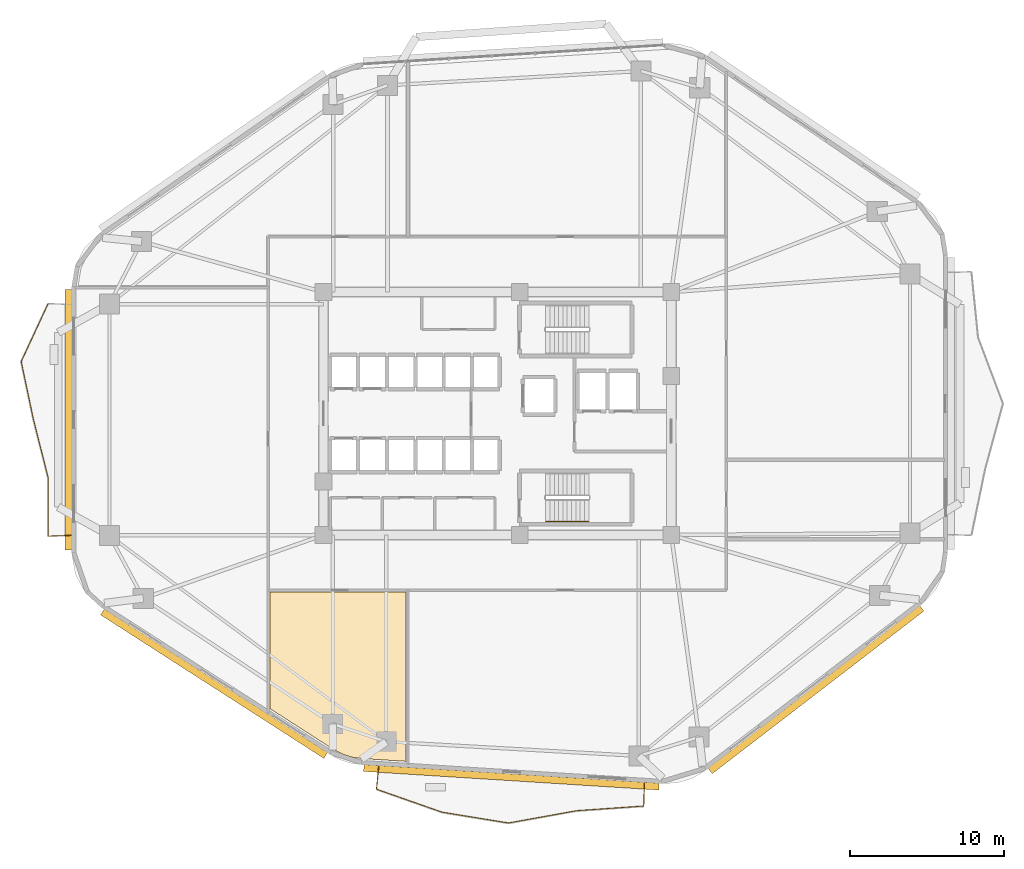
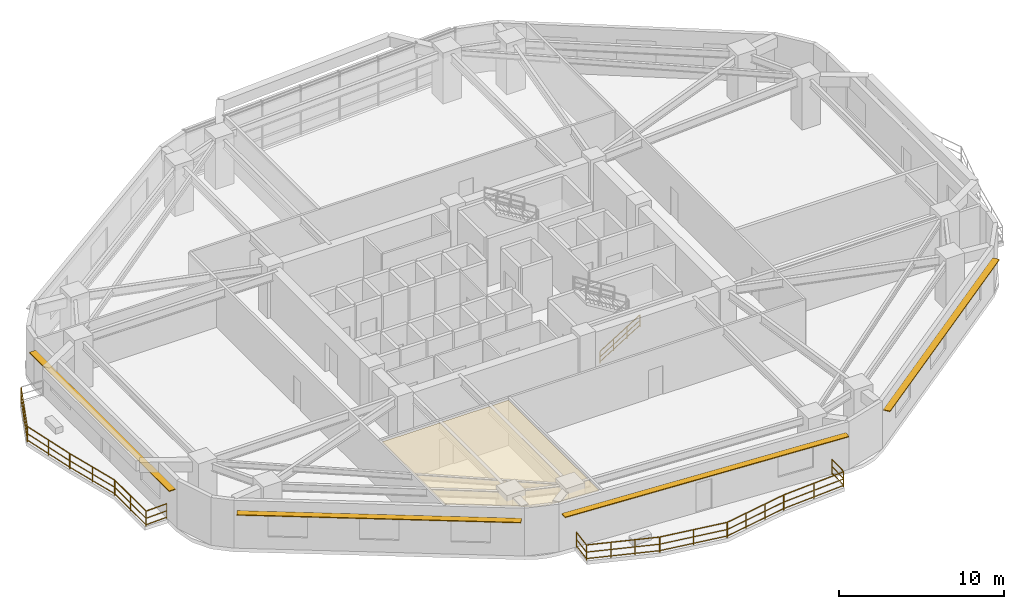
# One storey, part 9 of 11: 12 railings, 4 shading devices, 1 covering.
"""IFC4 building model written with IfcOpenShell, lengths in metres."""

from ifc_helpers import new_model, si_unit, direction, frame, origin, origin_2d, place, context, subcontext, project, spatial, polyline, rectangle, outline, extrude, material, layer, layer_set, type_object, element, save


model = new_model("IFC4")

# Units and contexts
model_context = context("Model", 3, precision=1e-05, world=origin(), true_north=direction((0.0, 1.0)))
body_context = subcontext(model_context, "Body", "Model", "MODEL_VIEW")
ifc_project = project(units=[si_unit("LENGTHUNIT", "METRE"), si_unit("AREAUNIT", "SQUARE_METRE"), si_unit("VOLUMEUNIT", "CUBIC_METRE"), si_unit("PLANEANGLEUNIT", "RADIAN"), si_unit("MASSUNIT", "GRAM", prefix="KILO")], contexts=[model_context])

# Site, building, storey
site_placement = place(None, origin())
site = spatial("IfcSite", under=ifc_project, at=site_placement, CompositionType="ELEMENT")
building_placement = place(site_placement, origin())
building = spatial("IfcBuilding", under=site, at=building_placement, Name="Zulverin Broadcast Headquarters", CompositionType="ELEMENT")
storey_placement = place(building_placement, frame((0.0, 0.0, 78.199951171875)))
storey = spatial("IfcBuildingStorey", under=building, at=storey_placement, Name="L19", CompositionType="ELEMENT", Elevation=78.199951171875)

# Covering
ifc_material_1 = material(Name="Perforated pale-metal acoustic baffle ceiling", Category="aluminium")
ifc_layer_1 = layer(ifc_material_1, 0.0400390625, Name="Perforated pale-metal acoustic baffle ceiling", Category="aluminium")
ifc_layer_set_1 = layer_set([ifc_layer_1], Name="Perforated pale-metal acoustic baffle ceiling")
covering_type = type_object("IfcCoveringType", Name="COV-CEIL-ACOU", PredefinedType="CEILING", material=ifc_layer_set_1)
covering_placement = place(storey_placement, frame((0.0, 0.0, 3.344970703125)))
element("IfcCovering", 1, at=covering_placement, inside=storey, type_object=covering_type, Name="L19 Acoustic Baffle Ceiling 03", PredefinedType="CEILING", context=body_context, shape_type="SweptSolid", body=[
    extrude(outline(polyline([(22.27197265625, 13.632080078125), (22.27197265625, 6.055908203125), (26.347900390625, 3.43603515625), (26.931884765625, 3.1279296875), (27.5439453125, 2.924072265625), (28.19189453125, 2.83203125), (31.080078125, 2.64794921875), (31.080078125, 13.632080078125), (22.27197265625, 13.632080078125)])), origin(), (0.0, 0.0, 1.0), 0.0400390625),
])

# Railings
ifc_material_2 = material(Name="Brushed stainless steel & laminated glass balustrade", Category="steel")
railing_type_1 = type_object("IfcRailingType", Name="RL-GUARD-1150", PredefinedType="GUARDRAIL", material=ifc_material_2)
railing_1_placement = place(storey_placement, frame((29.3076171875, 2.318603515625, 0.0)))
element("IfcRailing", 2, at=railing_1_placement, inside=storey, type_object=railing_type_1, Name="L19 Vertical-Forest Balcony Guardrail BAL_S Segment 01", PredefinedType="GUARDRAIL", context=body_context, shape_type="SweptSolid", body=[
    extrude(rectangle(XDim=0.048095703125, YDim=0.048095703125, at=origin_2d()), frame((0.0, 0.0, 1.1259765625), z_axis=(-0.103228615139, -0.99465765619, 0.0), x_axis=(0.99465765619, -0.103228615139, 0.0)), (0.0, 0.0, 1.0), 1.46630859375),
    extrude(rectangle(XDim=0.0419921875, YDim=0.0419921875, at=origin_2d()), frame((0.0, 0.0, 0.597900390625), z_axis=(-0.103228615139, -0.99465765619, 0.0), x_axis=(0.99465765619, -0.103228615139, 0.0)), (0.0, 0.0, 1.0), 1.46630859375),
    extrude(rectangle(XDim=0.0419921875, YDim=0.0419921875, at=origin_2d()), frame((0.0, 0.0, 0.1201171875), z_axis=(-0.103228615139, -0.99465765619, 0.0), x_axis=(0.99465765619, -0.103228615139, 0.0)), (0.0, 0.0, 1.0), 1.46630859375),
    extrude(rectangle(XDim=0.0419921875, YDim=0.0419921875, at=origin_2d()), origin(), (0.0, 0.0, 1.0), 1.101806640625),
    extrude(rectangle(XDim=0.0419921875, YDim=0.0419921875, at=origin_2d()), frame((-0.1513671875, -1.45849609375, 0.0)), (0.0, 0.0, 1.0), 1.101806640625),
])
railing_2_placement = place(storey_placement, frame((29.168701171875, 0.840087890625, 0.0)))
element("IfcRailing", 3, at=railing_2_placement, inside=storey, type_object=railing_type_1, Name="L19 Vertical-Forest Balcony Guardrail BAL_S Segment 02", PredefinedType="GUARDRAIL", context=body_context, shape_type="SweptSolid", body=[
    extrude(rectangle(XDim=0.048095703125, YDim=0.048095703125, at=origin_2d()), frame((0.0, 0.0, 1.1259765625), z_axis=(0.943668017471, -0.330893748508, 0.0), x_axis=(0.330893748508, 0.943668017471, 0.0)), (0.0, 0.0, 1.0), 4.48291015625),
    extrude(rectangle(XDim=0.0419921875, YDim=0.0419921875, at=origin_2d()), frame((0.0, 0.0, 0.597900390625), z_axis=(0.943668017471, -0.330893748508, 0.0), x_axis=(0.330893748508, 0.943668017471, 0.0)), (0.0, 0.0, 1.0), 4.48291015625),
    extrude(rectangle(XDim=0.0419921875, YDim=0.0419921875, at=origin_2d()), frame((0.0, 0.0, 0.1201171875), z_axis=(0.943668017471, -0.330893748508, 0.0), x_axis=(0.330893748508, 0.943668017471, 0.0)), (0.0, 0.0, 1.0), 4.48291015625),
    extrude(rectangle(XDim=0.0419921875, YDim=0.0419921875, at=origin_2d()), origin(), (0.0, 0.0, 1.0), 1.101806640625),
    extrude(rectangle(XDim=0.0419921875, YDim=0.0419921875, at=origin_2d()), frame((1.41015625, -0.494384765625, 0.0)), (0.0, 0.0, 1.0), 1.101806640625),
    extrude(rectangle(XDim=0.0419921875, YDim=0.0419921875, at=origin_2d()), frame((2.8203125, -0.989013671875, 0.0)), (0.0, 0.0, 1.0), 1.101806640625),
    extrude(rectangle(XDim=0.0419921875, YDim=0.0419921875, at=origin_2d()), frame((4.23046875, -1.4833984375, 0.0)), (0.0, 0.0, 1.0), 1.101806640625),
])
railing_3_placement = place(storey_placement, frame((33.427978515625, -0.65087890625, 0.0)))
element("IfcRailing", 4, at=railing_3_placement, inside=storey, type_object=railing_type_1, Name="L19 Vertical-Forest Balcony Guardrail BAL_S Segment 03", PredefinedType="GUARDRAIL", context=body_context, shape_type="SweptSolid", body=[
    extrude(rectangle(XDim=0.048095703125, YDim=0.048095703125, at=origin_2d()), frame((0.0, 0.0, 1.1259765625), z_axis=(0.987055409122, -0.160379610063, 0.0), x_axis=(0.160379610063, 0.987055409122, 0.0)), (0.0, 0.0, 1.0), 4.33544921875),
    extrude(rectangle(XDim=0.0419921875, YDim=0.0419921875, at=origin_2d()), frame((0.0, 0.0, 0.597900390625), z_axis=(0.987055409122, -0.160379610063, 0.0), x_axis=(0.160379610063, 0.987055409122, 0.0)), (0.0, 0.0, 1.0), 4.33544921875),
    extrude(rectangle(XDim=0.0419921875, YDim=0.0419921875, at=origin_2d()), frame((0.0, 0.0, 0.1201171875), z_axis=(0.987055409122, -0.160379610063, 0.0), x_axis=(0.160379610063, 0.987055409122, 0.0)), (0.0, 0.0, 1.0), 4.33544921875),
    extrude(rectangle(XDim=0.0419921875, YDim=0.0419921875, at=origin_2d()), origin(), (0.0, 0.0, 1.0), 1.101806640625),
    extrude(rectangle(XDim=0.0419921875, YDim=0.0419921875, at=origin_2d()), frame((2.1396484375, -0.34765625, 0.0)), (0.0, 0.0, 1.0), 1.101806640625),
    extrude(rectangle(XDim=0.0419921875, YDim=0.0419921875, at=origin_2d()), frame((4.279296875, -0.6953125, 0.0)), (0.0, 0.0, 1.0), 1.101806640625),
])
railing_4_placement = place(storey_placement, frame((37.73681640625, -1.345703125, 0.0)))
element("IfcRailing", 5, at=railing_4_placement, inside=storey, type_object=railing_type_1, Name="L19 Vertical-Forest Balcony Guardrail BAL_S Segment 04", PredefinedType="GUARDRAIL", context=body_context, shape_type="SweptSolid", body=[
    extrude(rectangle(XDim=0.048095703125, YDim=0.048095703125, at=origin_2d()), frame((0.0, 0.0, 1.1259765625), z_axis=(0.984119466396, 0.177507396635, 0.0), x_axis=(-0.177507396635, 0.984119466396, 0.0)), (0.0, 0.0, 1.0), 4.44384765625),
    extrude(rectangle(XDim=0.0419921875, YDim=0.0419921875, at=origin_2d()), frame((0.0, 0.0, 0.597900390625), z_axis=(0.984119466396, 0.177507396635, 0.0), x_axis=(-0.177507396635, 0.984119466396, 0.0)), (0.0, 0.0, 1.0), 4.44384765625),
    extrude(rectangle(XDim=0.0419921875, YDim=0.0419921875, at=origin_2d()), frame((0.0, 0.0, 0.1201171875), z_axis=(0.984119466396, 0.177507396635, 0.0), x_axis=(-0.177507396635, 0.984119466396, 0.0)), (0.0, 0.0, 1.0), 4.44384765625),
    extrude(rectangle(XDim=0.0419921875, YDim=0.0419921875, at=origin_2d()), origin(), (0.0, 0.0, 1.0), 1.101806640625),
    extrude(rectangle(XDim=0.0419921875, YDim=0.0419921875, at=origin_2d()), frame((1.457763671875, 0.262939453125, 0.0)), (0.0, 0.0, 1.0), 1.101806640625),
    extrude(rectangle(XDim=0.0419921875, YDim=0.0419921875, at=origin_2d()), frame((2.91552734375, 0.52587890625, 0.0)), (0.0, 0.0, 1.0), 1.101806640625),
    extrude(rectangle(XDim=0.0419921875, YDim=0.0419921875, at=origin_2d()), frame((4.373291015625, 0.788818359375, 0.0)), (0.0, 0.0, 1.0), 1.101806640625),
])
railing_5_placement = place(storey_placement, frame((42.139892578125, -0.552978515625, 0.0)))
element("IfcRailing", 6, at=railing_5_placement, inside=storey, type_object=railing_type_1, Name="L19 Vertical-Forest Balcony Guardrail BAL_S Segment 05", PredefinedType="GUARDRAIL", context=body_context, shape_type="SweptSolid", body=[
    extrude(rectangle(XDim=0.048095703125, YDim=0.048095703125, at=origin_2d()), frame((0.0, 0.0, 1.1259765625), z_axis=(0.997566852829, 0.069716383564, 0.0), x_axis=(-0.069716383564, 0.997566852829, 0.0)), (0.0, 0.0, 1.0), 4.352783203125),
    extrude(rectangle(XDim=0.0419921875, YDim=0.0419921875, at=origin_2d()), frame((0.0, 0.0, 0.597900390625), z_axis=(0.997566852829, 0.069716383564, 0.0), x_axis=(-0.069716383564, 0.997566852829, 0.0)), (0.0, 0.0, 1.0), 4.352783203125),
    extrude(rectangle(XDim=0.0419921875, YDim=0.0419921875, at=origin_2d()), frame((0.0, 0.0, 0.1201171875), z_axis=(0.997566852829, 0.069716383564, 0.0), x_axis=(-0.069716383564, 0.997566852829, 0.0)), (0.0, 0.0, 1.0), 4.352783203125),
    extrude(rectangle(XDim=0.0419921875, YDim=0.0419921875, at=origin_2d()), origin(), (0.0, 0.0, 1.0), 1.101806640625),
    extrude(rectangle(XDim=0.0419921875, YDim=0.0419921875, at=origin_2d()), frame((2.171142578125, 0.15185546875, 0.0)), (0.0, 0.0, 1.0), 1.101806640625),
    extrude(rectangle(XDim=0.0419921875, YDim=0.0419921875, at=origin_2d()), frame((4.34228515625, 0.303466796875, 0.0)), (0.0, 0.0, 1.0), 1.101806640625),
])
railing_6_placement = place(storey_placement, frame((46.497314453125, -0.233642578125, 0.0)))
element("IfcRailing", 7, at=railing_6_placement, inside=storey, type_object=railing_type_1, Name="L19 Vertical-Forest Balcony Guardrail BAL_S Segment 06", PredefinedType="GUARDRAIL", context=body_context, shape_type="SweptSolid", body=[
    extrude(rectangle(XDim=0.048095703125, YDim=0.048095703125, at=origin_2d()), frame((0.0, 0.0, 1.1259765625), z_axis=(0.022641987457, 0.999743637341, 0.0), x_axis=(-0.999743637341, 0.022641987457, 0.0)), (0.0, 0.0, 1.0), 1.466552734375),
    extrude(rectangle(XDim=0.0419921875, YDim=0.0419921875, at=origin_2d()), frame((0.0, 0.0, 0.597900390625), z_axis=(0.022641987457, 0.999743637341, 0.0), x_axis=(-0.999743637341, 0.022641987457, 0.0)), (0.0, 0.0, 1.0), 1.466552734375),
    extrude(rectangle(XDim=0.0419921875, YDim=0.0419921875, at=origin_2d()), frame((0.0, 0.0, 0.1201171875), z_axis=(0.022641987457, 0.999743637341, 0.0), x_axis=(-0.999743637341, 0.022641987457, 0.0)), (0.0, 0.0, 1.0), 1.466552734375),
    extrude(rectangle(XDim=0.0419921875, YDim=0.0419921875, at=origin_2d()), origin(), (0.0, 0.0, 1.0), 1.101806640625),
    extrude(rectangle(XDim=0.0419921875, YDim=0.0419921875, at=origin_2d()), frame((0.033203125, 1.466064453125, 0.0)), (0.0, 0.0, 1.0), 1.101806640625),
])
railing_7_placement = place(storey_placement, frame((7.873779296875, 32.330810546875, 0.0)))
element("IfcRailing", 8, at=railing_7_placement, inside=storey, type_object=railing_type_1, Name="L19 Vertical-Forest Balcony Guardrail BAL_W Segment 02", PredefinedType="GUARDRAIL", context=body_context, shape_type="SweptSolid", body=[
    extrude(rectangle(XDim=0.048095703125, YDim=0.048095703125, at=origin_2d()), frame((0.0, 0.0, 1.1259765625), z_axis=(-0.421368161314, -0.906889669492, 0.0), x_axis=(0.906889669492, -0.421368161314, 0.0)), (0.0, 0.0, 1.0), 4.1328125),
    extrude(rectangle(XDim=0.0419921875, YDim=0.0419921875, at=origin_2d()), frame((0.0, 0.0, 0.597900390625), z_axis=(-0.421368161314, -0.906889669492, 0.0), x_axis=(0.906889669492, -0.421368161314, 0.0)), (0.0, 0.0, 1.0), 4.1328125),
    extrude(rectangle(XDim=0.0419921875, YDim=0.0419921875, at=origin_2d()), frame((0.0, 0.0, 0.1201171875), z_axis=(-0.421368161314, -0.906889669492, 0.0), x_axis=(0.906889669492, -0.421368161314, 0.0)), (0.0, 0.0, 1.0), 4.1328125),
    extrude(rectangle(XDim=0.0419921875, YDim=0.0419921875, at=origin_2d()), origin(), (0.0, 0.0, 1.0), 1.101806640625),
    extrude(rectangle(XDim=0.0419921875, YDim=0.0419921875, at=origin_2d()), frame((-0.87060546875, -1.8740234375, 0.0)), (0.0, 0.0, 1.0), 1.101806640625),
    extrude(rectangle(XDim=0.0419921875, YDim=0.0419921875, at=origin_2d()), frame((-1.741455078125, -3.748046875, 0.0)), (0.0, 0.0, 1.0), 1.101806640625),
])
railing_8_placement = place(storey_placement, frame((6.129150390625, 28.554443359375, 0.0)))
element("IfcRailing", 9, at=railing_8_placement, inside=storey, type_object=railing_type_1, Name="L19 Vertical-Forest Balcony Guardrail BAL_W Segment 03", PredefinedType="GUARDRAIL", context=body_context, shape_type="SweptSolid", body=[
    extrude(rectangle(XDim=0.048095703125, YDim=0.048095703125, at=origin_2d()), frame((0.0, 0.0, 1.1259765625), z_axis=(0.206614649403, -0.978422396847, 0.0), x_axis=(0.978422396847, 0.206614649403, 0.0)), (0.0, 0.0, 1.0), 3.828369140625),
    extrude(rectangle(XDim=0.0419921875, YDim=0.0419921875, at=origin_2d()), frame((0.0, 0.0, 0.597900390625), z_axis=(0.206614649403, -0.978422396847, 0.0), x_axis=(0.978422396847, 0.206614649403, 0.0)), (0.0, 0.0, 1.0), 3.828369140625),
    extrude(rectangle(XDim=0.0419921875, YDim=0.0419921875, at=origin_2d()), frame((0.0, 0.0, 0.1201171875), z_axis=(0.206614649403, -0.978422396847, 0.0), x_axis=(0.978422396847, 0.206614649403, 0.0)), (0.0, 0.0, 1.0), 3.828369140625),
    extrude(rectangle(XDim=0.0419921875, YDim=0.0419921875, at=origin_2d()), origin(), (0.0, 0.0, 1.0), 1.101806640625),
    extrude(rectangle(XDim=0.0419921875, YDim=0.0419921875, at=origin_2d()), frame((0.3955078125, -1.873046875, 0.0)), (0.0, 0.0, 1.0), 1.101806640625),
    extrude(rectangle(XDim=0.0419921875, YDim=0.0419921875, at=origin_2d()), frame((0.791015625, -3.745849609375, 0.0)), (0.0, 0.0, 1.0), 1.101806640625),
])
railing_9_placement = place(storey_placement, frame((6.927001953125, 24.779541015625, 0.0)))
element("IfcRailing", 10, at=railing_9_placement, inside=storey, type_object=railing_type_1, Name="L19 Vertical-Forest Balcony Guardrail BAL_W Segment 04", PredefinedType="GUARDRAIL", context=body_context, shape_type="SweptSolid", body=[
    extrude(rectangle(XDim=0.048095703125, YDim=0.048095703125, at=origin_2d()), frame((0.0, 0.0, 1.1259765625), z_axis=(0.245611234444, -0.969368413718, 0.0), x_axis=(0.969368413718, 0.245611234444, 0.0)), (0.0, 0.0, 1.0), 3.86474609375),
    extrude(rectangle(XDim=0.0419921875, YDim=0.0419921875, at=origin_2d()), frame((0.0, 0.0, 0.597900390625), z_axis=(0.245611234444, -0.969368413718, 0.0), x_axis=(0.969368413718, 0.245611234444, 0.0)), (0.0, 0.0, 1.0), 3.86474609375),
    extrude(rectangle(XDim=0.0419921875, YDim=0.0419921875, at=origin_2d()), frame((0.0, 0.0, 0.1201171875), z_axis=(0.245611234444, -0.969368413718, 0.0), x_axis=(0.969368413718, 0.245611234444, 0.0)), (0.0, 0.0, 1.0), 3.86474609375),
    extrude(rectangle(XDim=0.0419921875, YDim=0.0419921875, at=origin_2d()), origin(), (0.0, 0.0, 1.0), 1.101806640625),
    extrude(rectangle(XDim=0.0419921875, YDim=0.0419921875, at=origin_2d()), frame((0.474609375, -1.873046875, 0.0)), (0.0, 0.0, 1.0), 1.101806640625),
    extrude(rectangle(XDim=0.0419921875, YDim=0.0419921875, at=origin_2d()), frame((0.94921875, -3.746337890625, 0.0)), (0.0, 0.0, 1.0), 1.101806640625),
])
railing_10_placement = place(storey_placement, frame((7.8798828125, 21.00390625, 0.0)))
element("IfcRailing", 11, at=railing_10_placement, inside=storey, type_object=railing_type_1, Name="L19 Vertical-Forest Balcony Guardrail BAL_W Segment 05", PredefinedType="GUARDRAIL", context=body_context, shape_type="SweptSolid", body=[
    extrude(rectangle(XDim=0.048095703125, YDim=0.048095703125, at=origin_2d()), frame((0.0, 0.0, 1.1259765625), z_axis=(0.0, -1.0, 0.0), x_axis=(1.0, 0.0, 0.0)), (0.0, 0.0, 1.0), 3.745361328125),
    extrude(rectangle(XDim=0.0419921875, YDim=0.0419921875, at=origin_2d()), frame((0.0, 0.0, 0.597900390625), z_axis=(0.0, -1.0, 0.0), x_axis=(1.0, 0.0, 0.0)), (0.0, 0.0, 1.0), 3.745361328125),
    extrude(rectangle(XDim=0.0419921875, YDim=0.0419921875, at=origin_2d()), frame((0.0, 0.0, 0.1201171875), z_axis=(0.0, -1.0, 0.0), x_axis=(1.0, 0.0, 0.0)), (0.0, 0.0, 1.0), 3.745361328125),
    extrude(rectangle(XDim=0.0419921875, YDim=0.0419921875, at=origin_2d()), origin(), (0.0, 0.0, 1.0), 1.101806640625),
    extrude(rectangle(XDim=0.0419921875, YDim=0.0419921875, at=origin_2d()), frame((0.0, -1.87255859375, 0.0)), (0.0, 0.0, 1.0), 1.101806640625),
    extrude(rectangle(XDim=0.0419921875, YDim=0.0419921875, at=origin_2d()), frame((0.0, -3.745361328125, 0.0)), (0.0, 0.0, 1.0), 1.101806640625),
])
railing_11_placement = place(storey_placement, frame((7.89501953125, 17.244140625, 0.0)))
element("IfcRailing", 12, at=railing_11_placement, inside=storey, type_object=railing_type_1, Name="L19 Vertical-Forest Balcony Guardrail BAL_W Segment 06", PredefinedType="GUARDRAIL", context=body_context, shape_type="SweptSolid", body=[
    extrude(rectangle(XDim=0.048095703125, YDim=0.048095703125, at=origin_2d()), frame((0.0, 0.0, 1.1259765625), z_axis=(0.999174410196, 0.040626321628, 0.0), x_axis=(-0.040626321628, 0.999174410196, 0.0)), (0.0, 0.0, 1.0), 1.46630859375),
    extrude(rectangle(XDim=0.0419921875, YDim=0.0419921875, at=origin_2d()), frame((0.0, 0.0, 0.597900390625), z_axis=(0.999174410196, 0.040626321628, 0.0), x_axis=(-0.040626321628, 0.999174410196, 0.0)), (0.0, 0.0, 1.0), 1.46630859375),
    extrude(rectangle(XDim=0.0419921875, YDim=0.0419921875, at=origin_2d()), frame((0.0, 0.0, 0.1201171875), z_axis=(0.999174410196, 0.040626321628, 0.0), x_axis=(-0.040626321628, 0.999174410196, 0.0)), (0.0, 0.0, 1.0), 1.46630859375),
    extrude(rectangle(XDim=0.0419921875, YDim=0.0419921875, at=origin_2d()), origin(), (0.0, 0.0, 1.0), 1.101806640625),
    extrude(rectangle(XDim=0.0419921875, YDim=0.0419921875, at=origin_2d()), frame((1.465087890625, 0.0595703125, 0.0)), (0.0, 0.0, 1.0), 1.101806640625),
])
ifc_material_3 = material(Name="Brushed stainless steel 48 mm handrail", Category="steel")
railing_type_2 = type_object("IfcRailingType", Name="RL-ST-HAND", PredefinedType="HANDRAIL", material=ifc_material_3)
railing_12_placement = place(storey_placement, frame((40.1298828125, 18.199951171875, 0.1728515625)))
element("IfcRailing", 13, at=railing_12_placement, inside=storey, type_object=railing_type_2, Name="L19 ST-2 stair handrail 1", PredefinedType="HANDRAIL", context=body_context, shape_type="SweptSolid", body=[
    extrude(rectangle(XDim=0.048095703125, YDim=0.048095703125, at=origin_2d()), frame((0.0, 0.0, 0.8759765625), z_axis=(0.851089632645, 0.0, 0.525020415988), x_axis=(0.0, 1.0, 0.0)), (0.0, 0.0, 1.0), 3.2900390625),
    extrude(rectangle(XDim=0.0419921875, YDim=0.0419921875, at=origin_2d()), frame((0.0, 0.0, 0.468017578125), z_axis=(0.851089632645, 0.0, 0.525020415988), x_axis=(0.0, 1.0, 0.0)), (0.0, 0.0, 1.0), 3.2900390625),
    extrude(rectangle(XDim=0.0419921875, YDim=0.0419921875, at=origin_2d()), frame((0.0, 0.0, 0.1201171875), z_axis=(0.851089632645, 0.0, 0.525020415988), x_axis=(0.0, 1.0, 0.0)), (0.0, 0.0, 1.0), 3.2900390625),
    extrude(rectangle(XDim=0.0419921875, YDim=0.0419921875, at=origin_2d()), origin(), (0.0, 0.0, 1.0), 0.851806640625),
    extrude(rectangle(XDim=0.0419921875, YDim=0.0419921875, at=origin_2d()), frame((0.933349609375, 0.0, 0.57568359375)), (0.0, 0.0, 1.0), 0.851806640625),
    extrude(rectangle(XDim=0.0419921875, YDim=0.0419921875, at=origin_2d()), frame((1.86669921875, 0.0, 1.151611328125)), (0.0, 0.0, 1.0), 0.851806640625),
    extrude(rectangle(XDim=0.0419921875, YDim=0.0419921875, at=origin_2d()), frame((2.800048828125, 0.0, 1.727294921875)), (0.0, 0.0, 1.0), 0.851806640625),
])

# Shading devices
ifc_material_4 = material(Name="Anodized pale-metal aluminium sunshade", Category="aluminium")
ifc_layer_2 = layer(ifc_material_4, 0.06005859375, Name="Anodized pale-metal aluminium sunshade", Category="aluminium")
ifc_layer_set_2 = layer_set([ifc_layer_2], Name="Anodized pale-metal aluminium sunshade")
shading_device_type = type_object("IfcShadingDeviceType", Name="SS-01_PALE_METAL_ALUMINIUM_SUNSHADE", PredefinedType="USERDEFINED", material=ifc_layer_set_2)
shading_device_1_placement = place(storey_placement, frame((37.908935546875, 1.61572265625, 2.7099609375), z_axis=(0.0, 0.0, 1.0), x_axis=(0.998017182581, -0.062942062821, 0.0)))
element("IfcShadingDevice", 14, at=shading_device_1_placement, inside=storey, type_object=shading_device_type, Name="L19 Horizontal Pale-Metal Sunshade Band 1", ObjectType="SUNSHADE", PredefinedType="USERDEFINED", context=body_context, shape_type="SweptSolid", body=[
    extrude(rectangle(XDim=19.177001953125, YDim=0.449951171875, at=origin_2d()), origin(), (0.0, 0.0, 1.0), 0.06005859375),
])
shading_device_2_placement = place(storey_placement, frame((57.658447265625, 7.29833984375, 2.7099609375), z_axis=(0.0, 0.0, 1.0), x_axis=(0.792933468586, 0.609308226102, 0.0)))
element("IfcShadingDevice", 15, at=shading_device_2_placement, inside=storey, type_object=shading_device_type, Name="L19 Horizontal Pale-Metal Sunshade Band 2", ObjectType="SUNSHADE", PredefinedType="USERDEFINED", context=body_context, shape_type="SweptSolid", body=[
    extrude(rectangle(XDim=17.312744140625, YDim=0.449951171875, at=origin_2d()), origin(), (0.0, 0.0, 1.0), 0.06005859375),
])
shading_device_3_placement = place(storey_placement, frame((9.199951171875, 24.7939453125, 2.7099609375), z_axis=(0.0, 0.0, 1.0), x_axis=(0.0, -1.0, 0.0)))
element("IfcShadingDevice", 16, at=shading_device_3_placement, inside=storey, type_object=shading_device_type, Name="L19 Horizontal Pale-Metal Sunshade Band 7", ObjectType="SUNSHADE", PredefinedType="USERDEFINED", context=body_context, shape_type="SweptSolid", body=[
    extrude(rectangle(XDim=16.90087890625, YDim=0.449951171875, at=origin_2d()), origin(), (0.0, 0.0, 1.0), 0.06005859375),
])
shading_device_4_placement = place(storey_placement, frame((18.6298828125, 7.681640625, 2.7099609375), z_axis=(0.0, 0.0, 1.0), x_axis=(0.841296678234, -0.540573676007, 0.0)))
element("IfcShadingDevice", 17, at=shading_device_4_placement, inside=storey, type_object=shading_device_type, Name="L19 Horizontal Pale-Metal Sunshade Band 8", ObjectType="SUNSHADE", PredefinedType="USERDEFINED", context=body_context, shape_type="SweptSolid", body=[
    extrude(rectangle(XDim=17.2119140625, YDim=0.449951171875, at=origin_2d()), origin(), (0.0, 0.0, 1.0), 0.06005859375),
])

save(model, "model.ifc")
